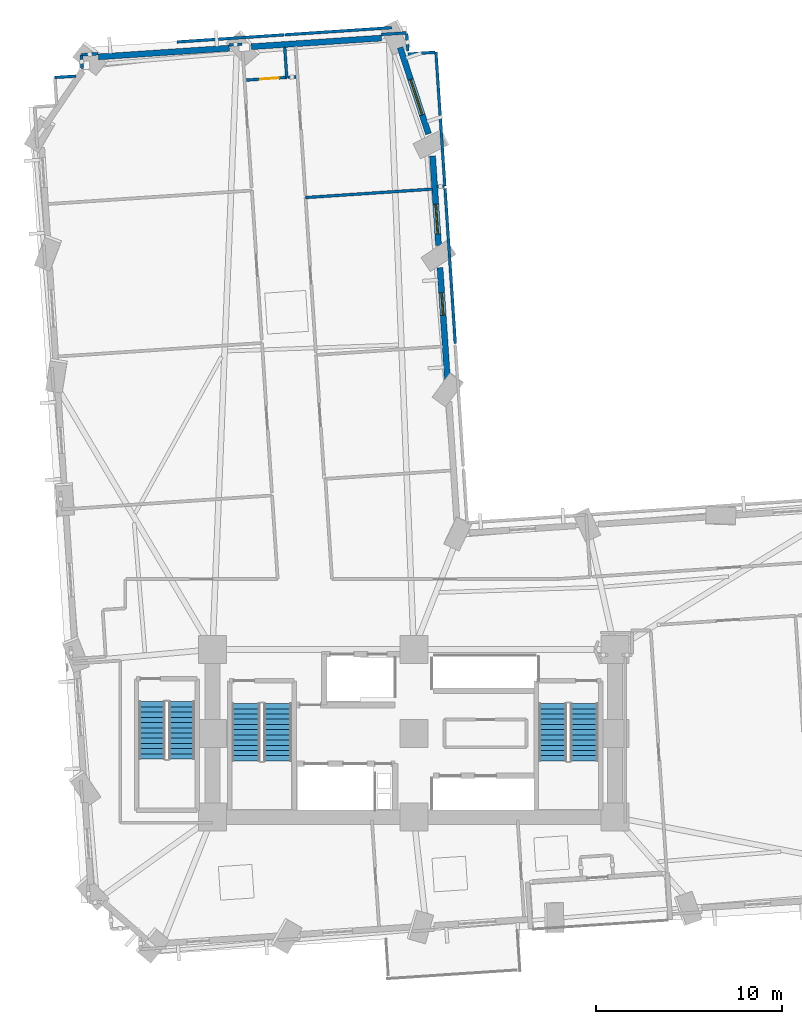
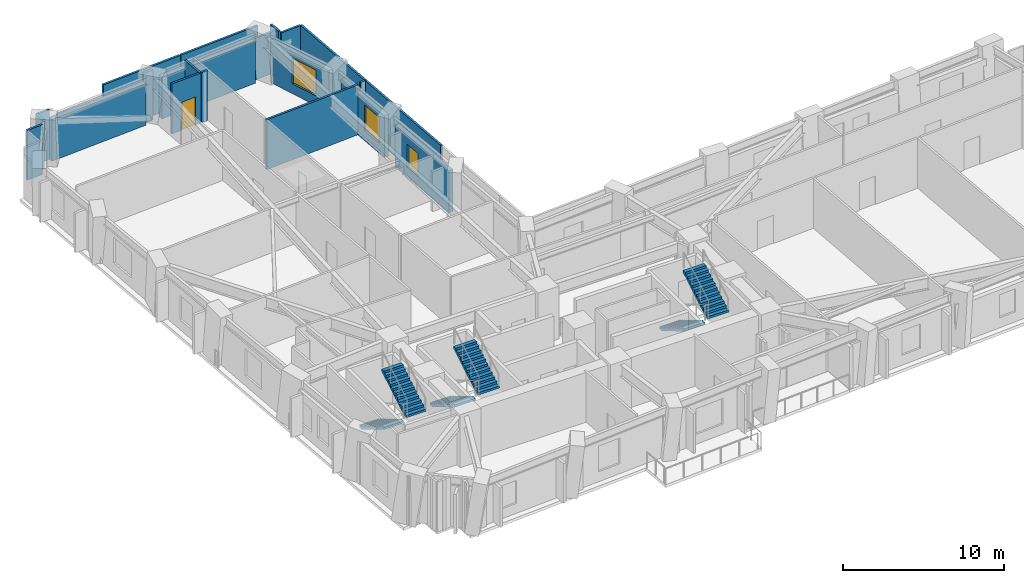
# One storey, part 10 of 14: 21 walls, 6 stair flights, 3 windows, 1 door, 4 openings, 3 elements without a shape of their own.
"""IFC4 building model written with IfcOpenShell, lengths in metres."""

from ifc_helpers import new_model, si_unit, direction, frame, frame_2d, origin, place, context, subcontext, project, spatial, polyline, rectangle, outline, extrude, material, layer, layer_set, type_object, element, fill, aggregate, save


model = new_model("IFC4")

# Units and contexts
model_context = context("Model", 3, precision=1e-05, world=origin(), true_north=direction((0.0, 1.0)))
body_context = subcontext(model_context, "Body", "Model", "MODEL_VIEW")
ifc_project = project(units=[si_unit("LENGTHUNIT", "METRE"), si_unit("AREAUNIT", "SQUARE_METRE"), si_unit("VOLUMEUNIT", "CUBIC_METRE"), si_unit("PLANEANGLEUNIT", "RADIAN"), si_unit("MASSUNIT", "GRAM", prefix="KILO")], contexts=[model_context])

# Site, building, storey
site_placement = place(None, origin())
site = spatial("IfcSite", under=ifc_project, at=site_placement, CompositionType="ELEMENT")
building_placement = place(site_placement, origin())
building = spatial("IfcBuilding", under=site, at=building_placement, Name="Gaonmaruhae Medical Tower", CompositionType="ELEMENT")
storey_placement = place(building_placement, frame((0.0, 0.0, 39.0)))
storey = spatial("IfcBuildingStorey", under=building, at=storey_placement, Name="L08", CompositionType="ELEMENT", Elevation=39.0)

# Wall, opening, window
ifc_material_1 = material(Name="Precast concrete C45/55", Category="concrete")
ifc_layer_1 = layer(ifc_material_1, 0.320068359375)
ifc_layer_set_1 = layer_set([ifc_layer_1], Name="Precast concrete C45/55")
wall_type_1 = type_object("IfcWallType", Name="EW-320 Lower Precast Masonry-Frame Facade Wall", PredefinedType="SOLIDWALL", material=ifc_layer_set_1)
wall_1_placement = place(storey_placement, frame((26.603759765625, 31.301513671875, 0.0), z_axis=(0.0, 0.0, 1.0), x_axis=(-0.066281214276, 0.997800982478, 0.0)))
wall_1 = element("IfcWall", 1, at=wall_1_placement, inside=storey, type_object=wall_type_1, Name="L08 Precast Masonry-Frame Wall NE01-NE02", PredefinedType="SOLIDWALL", context=body_context, shape_type="SweptSolid", body=[
    extrude(rectangle(XDim=5.99658203125, YDim=0.320068359375, at=frame_2d((2.998291015625, 0.0))), origin(), (0.0, 0.0, 1.0), 3.1650390625),
])
opening_1_placement = place(wall_1_placement, frame((3.445556640625, 0.0, 0.75)))
opening_1 = element("IfcOpeningElement", 2, at=opening_1_placement, cuts=wall_1, Name="Opening WN-05", PredefinedType="OPENING", context=body_context, shape_type="SweptSolid", body=[
    extrude(rectangle(XDim=1.199951171875, YDim=1.75, at=frame_2d((0.60009765625, 0.875))), frame((0.0, 0.169921875, 0.0), z_axis=(0.0, -1.0, 0.0), x_axis=(1.0, 0.0, 0.0)), (0.0, 0.0, 1.0), 0.340087890625),
])
ifc_material_2 = material(Name="Anodised aluminium and Low-E double glazing", Category="aluminium")
window_type_1 = type_object("IfcWindowType", Name="WN-05 Support & Staff Punched Window 1200x1750", PartitioningType="SINGLE_PANEL", PredefinedType="WINDOW", material=ifc_material_2)
window_1_placement = place(opening_1_placement, origin())
window_1 = element("IfcWindow", 3, at=window_1_placement, inside=storey, type_object=window_type_1, Name="L08 Modular Facade Window NE01", OverallHeight=1.75, OverallWidth=1.199951171875, PartitioningType="SINGLE_PANEL", PredefinedType="WINDOW", context=body_context, shape_type="SweptSolid", body=[
    extrude(rectangle(XDim=1.199951171875, YDim=1.75, at=frame_2d((0.60009765625, 0.875))), frame((0.0, 0.030029296875, 0.0), z_axis=(0.0, -1.0, 0.0), x_axis=(1.0, 0.0, 0.0)), (0.0, 0.0, 1.0), 0.06005859375),
])
fill(opening_1, window_1)

wall_2_placement = place(storey_placement, frame((26.127197265625, 38.47705078125, 0.0), z_axis=(0.0, 0.0, 1.0), x_axis=(-0.066303684838, 0.997799489565, 0.0)))
wall_2 = element("IfcWall", 4, at=wall_2_placement, inside=storey, type_object=wall_type_1, Name="L08 Precast Masonry-Frame Wall NE02-NE03", PredefinedType="SOLIDWALL", context=body_context, shape_type="SweptSolid", body=[
    extrude(rectangle(XDim=4.816162109375, YDim=0.320068359375, at=frame_2d((2.408203125, 0.0))), origin(), (0.0, 0.0, 1.0), 3.1650390625),
])
opening_2_placement = place(wall_2_placement, frame((0.6162109375, 0.0, 0.75)))
opening_2 = element("IfcOpeningElement", 5, at=opening_2_placement, cuts=wall_2, Name="Opening WN-01", PredefinedType="OPENING", context=body_context, shape_type="SweptSolid", body=[
    extrude(rectangle(XDim=1.60009765625, YDim=1.949951171875, at=frame_2d((0.800048828125, 0.97509765625))), frame((0.0, 0.169921875, 0.0), z_axis=(0.0, -1.0, 0.0), x_axis=(1.0, 0.0, 0.0)), (0.0, 0.0, 1.0), 0.340087890625),
])
window_type_2 = type_object("IfcWindowType", Name="WN-01 Ward Punched Acoustic Window 1600x1950", PartitioningType="SINGLE_PANEL", PredefinedType="WINDOW", material=ifc_material_2)
window_2_placement = place(opening_2_placement, origin())
window_2 = element("IfcWindow", 6, at=window_2_placement, inside=storey, type_object=window_type_2, Name="L08 Modular Facade Window NE02", OverallHeight=1.949951171875, OverallWidth=1.60009765625, PartitioningType="SINGLE_PANEL", PredefinedType="WINDOW", context=body_context, shape_type="SweptSolid", body=[
    extrude(rectangle(XDim=1.60009765625, YDim=1.949951171875, at=frame_2d((0.800048828125, 0.97509765625))), frame((0.0, 0.030029296875, 0.0), z_axis=(0.0, -1.0, 0.0), x_axis=(1.0, 0.0, 0.0)), (0.0, 0.0, 1.0), 0.06005859375),
])
fill(opening_2, window_2)

wall_3_placement = place(storey_placement, frame((24.06201171875, 49.109130859375, 0.0), z_axis=(0.0, 0.0, 1.0), x_axis=(0.312045120055, -0.950067283433, 0.0)))
wall_3 = element("IfcWall", 7, at=wall_3_placement, inside=storey, type_object=wall_type_1, Name="L08 Precast Masonry-Frame Wall NE03-N01", PredefinedType="SOLIDWALL", context=body_context, shape_type="SweptSolid", body=[
    extrude(rectangle(XDim=4.88916015625, YDim=0.320068359375, at=frame_2d((2.444580078125, 0.0))), origin(), (0.0, 0.0, 1.0), 3.1650390625),
])
opening_3_placement = place(wall_3_placement, frame((1.814697265625, 0.0, 0.75)))
opening_3 = element("IfcOpeningElement", 8, at=opening_3_placement, cuts=wall_3, Name="Opening WN-02", PredefinedType="OPENING", context=body_context, shape_type="SweptSolid", body=[
    extrude(rectangle(XDim=2.0, YDim=1.949951171875, at=frame_2d((1.0, 0.97509765625))), frame((0.0, 0.169921875, 0.0), z_axis=(0.0, -1.0, 0.0), x_axis=(1.0, 0.0, 0.0)), (0.0, 0.0, 1.0), 0.340087890625),
])
window_type_3 = type_object("IfcWindowType", Name="WN-02 Double-Bed Ward Punched Window 2000x1950", PartitioningType="SINGLE_PANEL", PredefinedType="WINDOW", material=ifc_material_2)
window_3_placement = place(opening_3_placement, origin())
window_3 = element("IfcWindow", 9, at=window_3_placement, inside=storey, type_object=window_type_3, Name="L08 Modular Facade Window NE03", OverallHeight=1.949951171875, OverallWidth=2.0, PartitioningType="SINGLE_PANEL", PredefinedType="WINDOW", context=body_context, shape_type="SweptSolid", body=[
    extrude(rectangle(XDim=2.0, YDim=1.949951171875, at=frame_2d((1.0, 0.97509765625))), frame((0.0, 0.030029296875, 0.0), z_axis=(0.0, -1.0, 0.0), x_axis=(1.0, 0.0, 0.0)), (0.0, 0.0, 1.0), 0.06005859375),
])
fill(opening_3, window_3)

# Walls
wall_4_placement = place(storey_placement, frame((16.080810546875, 49.142333984375, 0.0), z_axis=(0.0, 0.0, 1.0), x_axis=(0.997799173188, 0.066308445806, 0.0)))
element("IfcWall", 10, at=wall_4_placement, inside=storey, type_object=wall_type_1, Name="L08 Precast Masonry-Frame Wall N01-N02", PredefinedType="SOLIDWALL", context=body_context, shape_type="SweptSolid", body=[
    extrude(rectangle(XDim=7.0029296875, YDim=0.320068359375, at=frame_2d((3.50146484375, 0.0))), origin(), (0.0, 0.0, 1.0), 3.1650390625),
])
wall_5_placement = place(storey_placement, frame((7.87939453125, 48.59765625, 0.0), z_axis=(0.0, 0.0, 1.0), x_axis=(0.997800640447, 0.066286363022, 0.0)))
element("IfcWall", 11, at=wall_5_placement, inside=storey, type_object=wall_type_1, Name="L08 Precast Masonry-Frame Wall N02-N03", PredefinedType="SOLIDWALL", context=body_context, shape_type="SweptSolid", body=[
    extrude(rectangle(XDim=7.03466796875, YDim=0.320068359375, at=frame_2d((3.517333984375, 0.0))), origin(), (0.0, 0.0, 1.0), 3.1650390625),
])
ifc_material_3 = material(Name="Gypsum board partition", Category="gypsum")
ifc_layer_2 = layer(ifc_material_3, 0.14990234375)
ifc_layer_set_2 = layer_set([ifc_layer_2], Name="Gypsum board partition")
wall_type_2 = type_object("IfcWallType", Name="PW-150 Rated Clinical Corridor Partition", PredefinedType="PARTITIONING", material=ifc_layer_set_2)
wall_6_placement = place(storey_placement, frame((5.534912109375, 47.489990234375, 0.0), z_axis=(0.0, 0.0, 1.0), x_axis=(0.997826747849, 0.065892194362, 0.0)))
element("IfcWall", 12, at=wall_6_placement, inside=storey, type_object=wall_type_2, Name="L08 Interior Partition L08-WOF11-58", PredefinedType="PARTITIONING", context=body_context, shape_type="SweptSolid", body=[
    extrude(rectangle(XDim=1.137451171875, YDim=0.14990234375, at=frame_2d((0.56884765625, 0.0))), origin(), (0.0, 0.0, 1.0), 3.780029296875),
])
wall_7_placement = place(storey_placement, frame((7.006103515625, 47.966064453125, 0.0), z_axis=(0.0, 0.0, 1.0), x_axis=(-0.066082585029, 0.997814157023, 0.0)))
element("IfcWall", 13, at=wall_7_placement, inside=storey, type_object=wall_type_2, Name="L08 Interior Partition L08-WOF11-59", PredefinedType="PARTITIONING", context=body_context, shape_type="SweptSolid", body=[
    extrude(rectangle(XDim=0.74267578125, YDim=0.14990234375, at=frame_2d((0.371337890625, 0.0))), origin(), (0.0, 0.0, 1.0), 3.780029296875),
])
wall_8_placement = place(storey_placement, frame((6.95703125, 48.70703125, 0.0), z_axis=(0.0, 0.0, 1.0), x_axis=(0.997833411032, 0.065791213914, 0.0)))
element("IfcWall", 14, at=wall_8_placement, inside=storey, type_object=wall_type_2, Name="L08 Interior Partition L08-WOF11-60", PredefinedType="PARTITIONING", context=body_context, shape_type="SweptSolid", body=[
    extrude(rectangle(XDim=0.912841796875, YDim=0.14990234375, at=frame_2d((0.45654296875, 0.0))), origin(), (0.0, 0.0, 1.0), 3.780029296875),
])
wall_9_placement = place(storey_placement, frame((14.886962890625, 49.23291015625, 0.0), z_axis=(0.0, 0.0, 1.0), x_axis=(0.997748098839, 0.067072582054, 0.0)))
element("IfcWall", 15, at=wall_9_placement, inside=storey, type_object=wall_type_2, Name="L08 Interior Partition L08-WOF11-61", PredefinedType="PARTITIONING", context=body_context, shape_type="SweptSolid", body=[
    extrude(rectangle(XDim=0.702392578125, YDim=0.14990234375, at=frame_2d((0.35107421875, 0.0))), origin(), (0.0, 0.0, 1.0), 3.780029296875),
])
wall_10_placement = place(storey_placement, frame((18.990966796875, 41.048095703125, 0.0), z_axis=(0.0, 0.0, 1.0), x_axis=(0.997799084991, 0.066309772962, 0.0)))
element("IfcWall", 16, at=wall_10_placement, inside=storey, type_object=wall_type_2, Name="L08 Interior Partition L08-IN02-86", PredefinedType="PARTITIONING", context=body_context, shape_type="SweptSolid", body=[
    extrude(rectangle(XDim=6.81494140625, YDim=0.14990234375, at=frame_2d((3.407470703125, 0.0))), origin(), (0.0, 0.0, 1.0), 3.780029296875),
])
wall_11_placement = place(storey_placement, frame((26.47509765625, 41.544921875, 0.0), z_axis=(0.0, 0.0, 1.0), x_axis=(0.066184835455, -0.997807379987, 0.0)))
element("IfcWall", 17, at=wall_11_placement, inside=storey, type_object=wall_type_2, Name="L08 Interior Partition L08-IN02-87", PredefinedType="PARTITIONING", context=body_context, shape_type="SweptSolid", body=[
    extrude(rectangle(XDim=8.34033203125, YDim=0.14990234375, at=frame_2d((4.170166015625, 0.0))), origin(), (0.0, 0.0, 1.0), 3.780029296875),
])
wall_12_placement = place(storey_placement, frame((25.989013671875, 48.847900390625, 0.0), z_axis=(0.0, 0.0, 1.0), x_axis=(0.066395224543, -0.997793402543, 0.0)))
element("IfcWall", 18, at=wall_12_placement, inside=storey, type_object=wall_type_2, Name="L08 Interior Partition L08-IN03-88", PredefinedType="PARTITIONING", context=body_context, shape_type="SweptSolid", body=[
    extrude(rectangle(XDim=7.19970703125, YDim=0.14990234375, at=frame_2d((3.599853515625, 0.0))), origin(), (0.0, 0.0, 1.0), 3.780029296875),
])
wall_13_placement = place(storey_placement, frame((26.4169921875, 41.660888671875, 0.0), z_axis=(0.0, 0.0, 1.0), x_axis=(-0.99766818576, -0.068250942285, 0.0)))
element("IfcWall", 19, at=wall_13_placement, inside=storey, type_object=wall_type_2, Name="L08 Interior Partition L08-IN03-89", PredefinedType="PARTITIONING", context=body_context, shape_type="SweptSolid", body=[
    extrude(rectangle(XDim=0.36474609375, YDim=0.14990234375, at=frame_2d((0.182373046875, 0.0))), origin(), (0.0, 0.0, 1.0), 3.780029296875),
])
wall_14_placement = place(storey_placement, frame((23.055908203125, 49.797119140625, 0.0), z_axis=(0.0, 0.0, 1.0), x_axis=(0.997828501674, 0.065865630245, 0.0)))
element("IfcWall", 20, at=wall_14_placement, inside=storey, type_object=wall_type_2, Name="L08 Interior Partition L08-IN03-91", PredefinedType="PARTITIONING", context=body_context, shape_type="SweptSolid", body=[
    extrude(rectangle(XDim=1.364013671875, YDim=0.14990234375, at=frame_2d((0.68212890625, 0.0))), origin(), (0.0, 0.0, 1.0), 3.1650390625),
])
wall_15_placement = place(storey_placement, frame((24.419921875, 49.8369140625, 0.0), z_axis=(0.0, 0.0, 1.0), x_axis=(0.066572032403, -0.99778162165, 0.0)))
element("IfcWall", 21, at=wall_15_placement, inside=storey, type_object=wall_type_2, Name="L08 Interior Partition L08-IN03-92", PredefinedType="PARTITIONING", context=body_context, shape_type="SweptSolid", body=[
    extrude(rectangle(XDim=0.916748046875, YDim=0.14990234375, at=frame_2d((0.45849609375, 0.0))), origin(), (0.0, 0.0, 1.0), 3.780029296875),
])
wall_16_placement = place(storey_placement, frame((24.492919921875, 48.7490234375, 0.0), z_axis=(0.0, 0.0, 1.0), x_axis=(0.997805980255, 0.066205934533, 0.0)))
element("IfcWall", 22, at=wall_16_placement, inside=storey, type_object=wall_type_2, Name="L08 Interior Partition L08-IN03-93", PredefinedType="PARTITIONING", context=body_context, shape_type="SweptSolid", body=[
    extrude(rectangle(XDim=1.44921875, YDim=0.14990234375, at=frame_2d((0.724609375, 0.0))), origin(), (0.0, 0.0, 1.0), 3.780029296875),
])
wall_17_placement = place(storey_placement, frame((12.10205078125, 49.39892578125, 0.0), z_axis=(0.0, 0.0, 1.0), x_axis=(0.997793993374, 0.066386344883, 0.0)))
element("IfcWall", 23, at=wall_17_placement, inside=storey, type_object=wall_type_2, Name="L08 Interior Partition L08-RM01-94", PredefinedType="PARTITIONING", context=body_context, shape_type="SweptSolid", body=[
    extrude(rectangle(XDim=5.74072265625, YDim=0.14990234375, at=frame_2d((2.870361328125, 0.0))), origin(), (0.0, 0.0, 1.0), 3.780029296875),
])
wall_18_placement = place(storey_placement, frame((17.873046875, 49.1259765625, 0.0), z_axis=(0.0, 0.0, 1.0), x_axis=(0.066618148279, -0.997778543726, 0.0)))
element("IfcWall", 24, at=wall_18_placement, inside=storey, type_object=wall_type_2, Name="L08 Interior Partition L08-RM01-95", PredefinedType="PARTITIONING", context=body_context, shape_type="SweptSolid", body=[
    extrude(rectangle(XDim=1.634521484375, YDim=0.14990234375, at=frame_2d((0.8173828125, 0.0))), origin(), (0.0, 0.0, 1.0), 3.780029296875),
])

# Wall, opening, door
wall_19_placement = place(storey_placement, frame((17.98193359375, 47.4951171875, 0.0), z_axis=(0.0, 0.0, 1.0), x_axis=(-0.997802022538, -0.066265555301, 0.0)))
wall_19 = element("IfcWall", 25, at=wall_19_placement, inside=storey, type_object=wall_type_2, Name="L08 Interior Partition L08-RM01-96", PredefinedType="PARTITIONING", context=body_context, shape_type="SweptSolid", body=[
    extrude(rectangle(XDim=2.173828125, YDim=0.14990234375, at=frame_2d((1.0869140625, 0.0))), origin(), (0.0, 0.0, 1.0), 3.780029296875),
])
opening_4_placement = place(wall_19_placement, frame((0.421142578125, 0.0, 0.0)))
opening_4 = element("IfcOpeningElement", 26, at=opening_4_placement, cuts=wall_19, Name="Opening CD-01", PredefinedType="OPENING", context=body_context, shape_type="SweptSolid", body=[
    extrude(rectangle(XDim=1.0, YDim=2.1201171875, at=frame_2d((0.5, 1.06005859375))), frame((0.0, 0.0849609375, 0.0), z_axis=(0.0, -1.0, 0.0), x_axis=(1.0, 0.0, 0.0)), (0.0, 0.0, 1.0), 0.169921875),
])
ifc_material_4 = material(Name="Antimicrobial laminate timber fire door", Category="wood")
door_type = type_object("IfcDoorType", Name="CD-01 Consultation & Physician Office Door 1000x2120", OperationType="NOTDEFINED", PredefinedType="DOOR", material=ifc_material_4)
door_placement = place(opening_4_placement, origin())
door = element("IfcDoor", 27, at=door_placement, inside=storey, type_object=door_type, Name="L08 Clinical Case Review Office Door", OperationType="SINGLE_SWING_LEFT", OverallHeight=2.1201171875, OverallWidth=1.0, PredefinedType="DOOR", context=body_context, shape_type="SweptSolid", body=[
    extrude(rectangle(XDim=1.0, YDim=2.1201171875, at=frame_2d((0.5, 1.06005859375))), frame((0.0, 0.02490234375, 0.0), z_axis=(0.0, -1.0, 0.0), x_axis=(1.0, 0.0, 0.0)), (0.0, 0.0, 1.0), 0.050048828125),
])
fill(opening_4, door)

# Walls
wall_20_placement = place(storey_placement, frame((18.48388671875, 47.51708984375, 0.0), z_axis=(0.0, 0.0, 1.0), x_axis=(-0.999168968956, -0.040759924864, 0.0)))
element("IfcWall", 28, at=wall_20_placement, inside=storey, type_object=wall_type_2, Name="L08 Interior Partition L08-RM02-97", PredefinedType="PARTITIONING", context=body_context, shape_type="SweptSolid", body=[
    extrude(rectangle(XDim=0.443359375, YDim=0.14990234375, at=frame_2d((0.2216796875, 0.0))), origin(), (0.0, 0.0, 1.0), 3.780029296875),
])
wall_21_placement = place(storey_placement, frame((17.889892578125, 49.783935546875, 0.0), z_axis=(0.0, 0.0, 1.0), x_axis=(0.997804501264, 0.066228221011, 0.0)))
element("IfcWall", 29, at=wall_21_placement, inside=storey, type_object=wall_type_2, Name="L08 Interior Partition L08-RM02-98", PredefinedType="PARTITIONING", context=body_context, shape_type="SweptSolid", body=[
    extrude(rectangle(XDim=5.73974609375, YDim=0.14990234375, at=frame_2d((2.869873046875, 0.0))), origin(), (0.0, 0.0, 1.0), 3.780029296875),
])

# Stair, stair flights
ifc_material_5 = material(Name="Concrete C40/50", Category="concrete")
stair_type_1 = type_object("IfcStairType", Name="ST-T1 Primary Core Escape Dogleg Stair", PredefinedType="TWO_QUARTER_TURN_STAIR", material=ifc_material_5)
stair_1_placement = place(storey_placement, origin())
stair_1 = element("IfcStair", 30, at=stair_1_placement, inside=storey, type_object=stair_type_1, Name="L08 Protected Escape Stair ST-01", PredefinedType="TWO_QUARTER_TURN_STAIR")
stair_flight_type_1 = type_object("IfcStairFlightType", Name="SF-T1 Primary Core Precast Stair Flight", PredefinedType="STRAIGHT", material=ifc_material_5)
stair_flight_1_placement = place(storey_placement, frame((15.800048828125, 13.89990234375, 0.0), z_axis=(0.0, 0.0, 1.0), x_axis=(0.0, -1.0, 0.0)))
stair_flight_1 = element("IfcStairFlight", 31, at=stair_flight_1_placement, type_object=stair_flight_type_1, Name="ST-01 flight 1", NumberOfRisers=12, NumberOfTreads=11, PredefinedType="STRAIGHT", RiserHeight=0.166666667, TreadLength=0.28, context=body_context, shape_type="SweptSolid", body=[
    extrude(outline(polyline([(0.0, 0.0), (0.0, 0.166748046875), (0.280029296875, 0.166748046875), (0.280029296875, 0.333251953125), (0.56005859375, 0.333251953125), (0.56005859375, 0.5), (0.840087890625, 0.5), (0.840087890625, 0.666748046875), (1.1201171875, 0.666748046875), (1.1201171875, 0.833251953125), (1.39990234375, 0.833251953125), (1.39990234375, 1.0), (1.679931640625, 1.0), (1.679931640625, 1.166748046875), (1.9599609375, 1.166748046875), (1.9599609375, 1.333251953125), (2.239990234375, 1.333251953125), (2.239990234375, 1.5), (2.52001953125, 1.5), (2.52001953125, 1.666748046875), (2.800048828125, 1.666748046875), (2.800048828125, 1.833251953125), (3.080078125, 1.833251953125), (3.080078125, 2.0), (3.080078125, 1.658935546875), (0.29296875, 0.0), (0.0, 0.0)])), frame((0.0, 0.75, 0.0), z_axis=(0.0, -1.0, 0.0), x_axis=(1.0, 0.0, 0.0)), (0.0, 0.0, 1.0), 1.5),
])
stair_flight_2_placement = place(storey_placement, frame((17.5, 10.820068359375, 2.0), z_axis=(0.0, 0.0, 1.0), x_axis=(0.0, 1.0, 0.0)))
stair_flight_2 = element("IfcStairFlight", 32, at=stair_flight_2_placement, type_object=stair_flight_type_1, Name="ST-01 flight 2", NumberOfRisers=12, NumberOfTreads=11, PredefinedType="STRAIGHT", RiserHeight=0.166666667, TreadLength=0.28, context=body_context, shape_type="SweptSolid", body=[
    extrude(outline(polyline([(0.0, 0.0), (0.0, 0.166748046875), (0.280029296875, 0.166748046875), (0.280029296875, 0.333251953125), (0.56005859375, 0.333251953125), (0.56005859375, 0.5), (0.840087890625, 0.5), (0.840087890625, 0.666748046875), (1.1201171875, 0.666748046875), (1.1201171875, 0.833251953125), (1.39990234375, 0.833251953125), (1.39990234375, 1.0), (1.679931640625, 1.0), (1.679931640625, 1.166748046875), (1.9599609375, 1.166748046875), (1.9599609375, 1.333251953125), (2.239990234375, 1.333251953125), (2.239990234375, 1.5), (2.52001953125, 1.5), (2.52001953125, 1.666748046875), (2.800048828125, 1.666748046875), (2.800048828125, 1.833251953125), (3.080078125, 1.833251953125), (3.080078125, 2.0), (3.080078125, 1.658935546875), (0.29296875, 0.0), (0.0, 0.0)])), frame((0.0, 0.75, 0.0), z_axis=(0.0, -1.0, 0.0), x_axis=(1.0, 0.0, 0.0)), (0.0, 0.0, 1.0), 1.5),
])
aggregate(stair_1, [stair_flight_1, stair_flight_2])

stair_2_placement = place(storey_placement, origin())
stair_2 = element("IfcStair", 33, at=stair_2_placement, inside=storey, type_object=stair_type_1, Name="L08 Protected Escape Stair ST-02", PredefinedType="TWO_QUARTER_TURN_STAIR")
stair_flight_3_placement = place(storey_placement, frame((32.25, 13.89990234375, 0.0), z_axis=(0.0, 0.0, 1.0), x_axis=(0.0, -1.0, 0.0)))
stair_flight_3 = element("IfcStairFlight", 34, at=stair_flight_3_placement, type_object=stair_flight_type_1, Name="ST-02 flight 1", NumberOfRisers=12, NumberOfTreads=11, PredefinedType="STRAIGHT", RiserHeight=0.166666667, TreadLength=0.28, context=body_context, shape_type="SweptSolid", body=[
    extrude(outline(polyline([(0.0, 0.0), (0.0, 0.166748046875), (0.280029296875, 0.166748046875), (0.280029296875, 0.333251953125), (0.56005859375, 0.333251953125), (0.56005859375, 0.5), (0.840087890625, 0.5), (0.840087890625, 0.666748046875), (1.1201171875, 0.666748046875), (1.1201171875, 0.833251953125), (1.39990234375, 0.833251953125), (1.39990234375, 1.0), (1.679931640625, 1.0), (1.679931640625, 1.166748046875), (1.9599609375, 1.166748046875), (1.9599609375, 1.333251953125), (2.239990234375, 1.333251953125), (2.239990234375, 1.5), (2.52001953125, 1.5), (2.52001953125, 1.666748046875), (2.800048828125, 1.666748046875), (2.800048828125, 1.833251953125), (3.080078125, 1.833251953125), (3.080078125, 2.0), (3.080078125, 1.658935546875), (0.29296875, 0.0), (0.0, 0.0)])), frame((0.0, 0.75, 0.0), z_axis=(0.0, -1.0, 0.0), x_axis=(1.0, 0.0, 0.0)), (0.0, 0.0, 1.0), 1.5),
])
stair_flight_4_placement = place(storey_placement, frame((33.949951171875, 10.820068359375, 2.0), z_axis=(0.0, 0.0, 1.0), x_axis=(0.0, 1.0, 0.0)))
stair_flight_4 = element("IfcStairFlight", 35, at=stair_flight_4_placement, type_object=stair_flight_type_1, Name="ST-02 flight 2", NumberOfRisers=12, NumberOfTreads=11, PredefinedType="STRAIGHT", RiserHeight=0.166666667, TreadLength=0.28, context=body_context, shape_type="SweptSolid", body=[
    extrude(outline(polyline([(0.0, 0.0), (0.0, 0.166748046875), (0.280029296875, 0.166748046875), (0.280029296875, 0.333251953125), (0.56005859375, 0.333251953125), (0.56005859375, 0.5), (0.840087890625, 0.5), (0.840087890625, 0.666748046875), (1.1201171875, 0.666748046875), (1.1201171875, 0.833251953125), (1.39990234375, 0.833251953125), (1.39990234375, 1.0), (1.679931640625, 1.0), (1.679931640625, 1.166748046875), (1.9599609375, 1.166748046875), (1.9599609375, 1.333251953125), (2.239990234375, 1.333251953125), (2.239990234375, 1.5), (2.52001953125, 1.5), (2.52001953125, 1.666748046875), (2.800048828125, 1.666748046875), (2.800048828125, 1.833251953125), (3.080078125, 1.833251953125), (3.080078125, 2.0), (3.080078125, 1.658935546875), (0.29296875, 0.0), (0.0, 0.0)])), frame((0.0, 0.75, 0.0), z_axis=(0.0, -1.0, 0.0), x_axis=(1.0, 0.0, 0.0)), (0.0, 0.0, 1.0), 1.5),
])
aggregate(stair_2, [stair_flight_3, stair_flight_4])

stair_type_2 = type_object("IfcStairType", Name="ST-T2 Zone 1 Escape Dogleg Stair", PredefinedType="TWO_QUARTER_TURN_STAIR", material=ifc_material_5)
stair_3_placement = place(storey_placement, origin())
stair_3 = element("IfcStair", 36, at=stair_3_placement, inside=storey, type_object=stair_type_2, Name="L08 Protected Escape Stair ST-03", PredefinedType="TWO_QUARTER_TURN_STAIR")
stair_flight_type_2 = type_object("IfcStairFlightType", Name="SF-T2 Zone 1 Precast Stair Flight", PredefinedType="STRAIGHT", material=ifc_material_5)
stair_flight_5_placement = place(storey_placement, frame((10.75, 14.0, 0.0), z_axis=(0.0, 0.0, 1.0), x_axis=(0.0, -1.0, 0.0)))
stair_flight_5 = element("IfcStairFlight", 37, at=stair_flight_5_placement, type_object=stair_flight_type_2, Name="ST-03 flight 1", NumberOfRisers=12, NumberOfTreads=11, PredefinedType="STRAIGHT", RiserHeight=0.166666667, TreadLength=0.28, context=body_context, shape_type="SweptSolid", body=[
    extrude(outline(polyline([(0.0, 0.0), (0.0, 0.166748046875), (0.280029296875, 0.166748046875), (0.280029296875, 0.333251953125), (0.56005859375, 0.333251953125), (0.56005859375, 0.5), (0.840087890625, 0.5), (0.840087890625, 0.666748046875), (1.1201171875, 0.666748046875), (1.1201171875, 0.833251953125), (1.39990234375, 0.833251953125), (1.39990234375, 1.0), (1.679931640625, 1.0), (1.679931640625, 1.166748046875), (1.9599609375, 1.166748046875), (1.9599609375, 1.333251953125), (2.239990234375, 1.333251953125), (2.239990234375, 1.5), (2.52001953125, 1.5), (2.52001953125, 1.666748046875), (2.800048828125, 1.666748046875), (2.800048828125, 1.833251953125), (3.080078125, 1.833251953125), (3.080078125, 2.0), (3.080078125, 1.658935546875), (0.29296875, 0.0), (0.0, 0.0)])), frame((0.0, 0.699951171875, 0.0), z_axis=(0.0, -1.0, 0.0), x_axis=(1.0, 0.0, 0.0)), (0.0, 0.0, 1.0), 1.39990234375),
])
stair_flight_6_placement = place(storey_placement, frame((12.35009765625, 10.919921875, 2.0), z_axis=(0.0, 0.0, 1.0), x_axis=(0.0, 1.0, 0.0)))
stair_flight_6 = element("IfcStairFlight", 38, at=stair_flight_6_placement, type_object=stair_flight_type_2, Name="ST-03 flight 2", NumberOfRisers=12, NumberOfTreads=11, PredefinedType="STRAIGHT", RiserHeight=0.166666667, TreadLength=0.28, context=body_context, shape_type="SweptSolid", body=[
    extrude(outline(polyline([(0.0, 0.0), (0.0, 0.166748046875), (0.280029296875, 0.166748046875), (0.280029296875, 0.333251953125), (0.56005859375, 0.333251953125), (0.56005859375, 0.5), (0.840087890625, 0.5), (0.840087890625, 0.666748046875), (1.1201171875, 0.666748046875), (1.1201171875, 0.833251953125), (1.39990234375, 0.833251953125), (1.39990234375, 1.0), (1.679931640625, 1.0), (1.679931640625, 1.166748046875), (1.9599609375, 1.166748046875), (1.9599609375, 1.333251953125), (2.239990234375, 1.333251953125), (2.239990234375, 1.5), (2.52001953125, 1.5), (2.52001953125, 1.666748046875), (2.800048828125, 1.666748046875), (2.800048828125, 1.833251953125), (3.080078125, 1.833251953125), (3.080078125, 2.0), (3.080078125, 1.658935546875), (0.29296875, 0.0), (0.0, 0.0)])), frame((0.0, 0.699951171875, 0.0), z_axis=(0.0, -1.0, 0.0), x_axis=(1.0, 0.0, 0.0)), (0.0, 0.0, 1.0), 1.39990234375),
])
aggregate(stair_3, [stair_flight_5, stair_flight_6])

save(model, "model.ifc")
